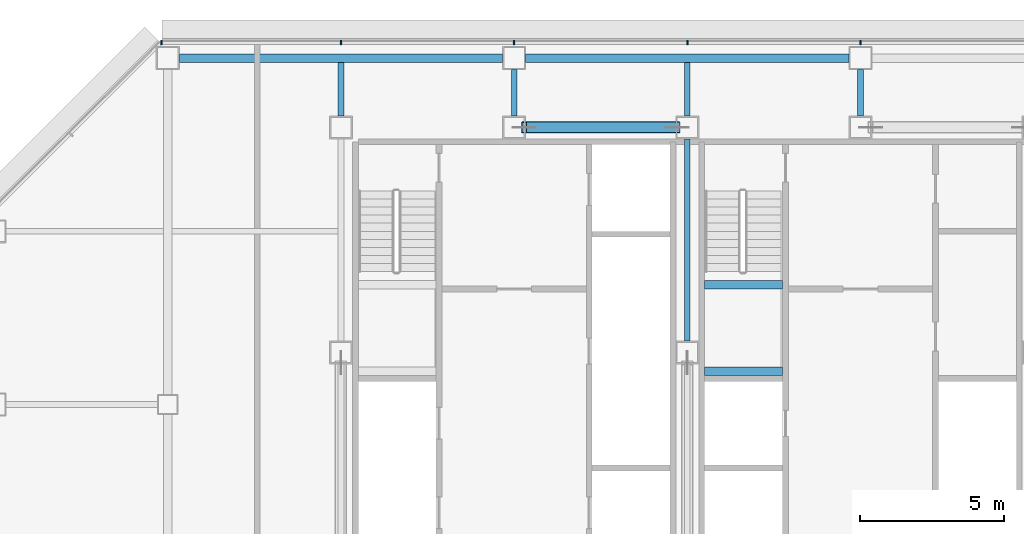
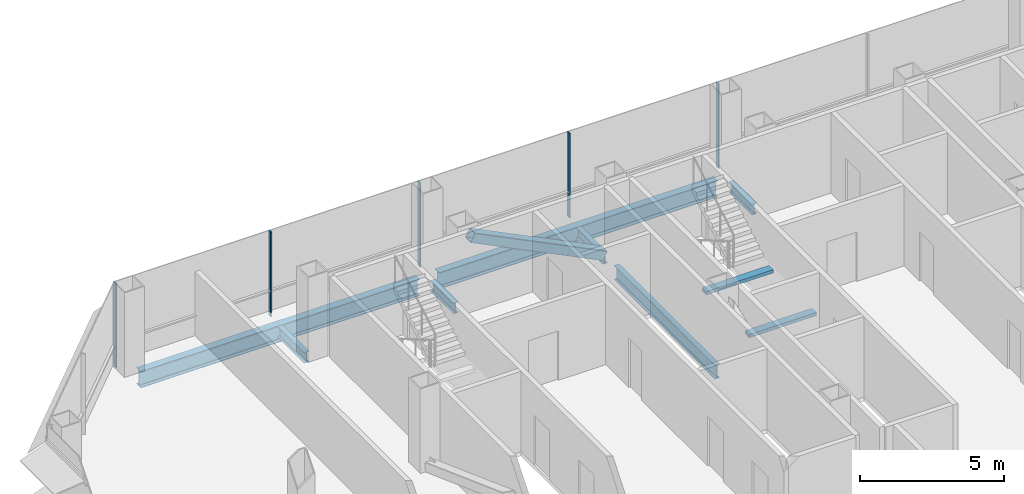
# One storey, part 12 of 25: 9 beams, 6 members, 1 element without a shape of its own.
"""IFC4 building model written with IfcOpenShell, lengths in metres."""

from ifc_helpers import new_model, si_unit, direction, frame, origin, origin_2d, place, context, subcontext, project, spatial, rectangle, hollow_rectangle, i_section, extrude, material, material_profile, profile_set, type_object, element, aggregate, save


model = new_model("IFC4")

# Units and contexts
model_context = context("Model", 3, precision=1e-05, world=origin(), true_north=direction((0.0, 1.0)))
body_context = subcontext(model_context, "Body", "Model", "MODEL_VIEW")
ifc_project = project(units=[si_unit("LENGTHUNIT", "METRE"), si_unit("AREAUNIT", "SQUARE_METRE"), si_unit("VOLUMEUNIT", "CUBIC_METRE"), si_unit("PLANEANGLEUNIT", "RADIAN"), si_unit("MASSUNIT", "GRAM", prefix="KILO")], contexts=[model_context])

# Site, building, storey
site_placement = place(None, origin())
site = spatial("IfcSite", under=ifc_project, at=site_placement, CompositionType="ELEMENT")
building_placement = place(site_placement, origin())
building = spatial("IfcBuilding", under=site, at=building_placement, Name="Sorahane Residences", CompositionType="ELEMENT")
storey_placement = place(building_placement, frame((0.0, 0.0, 130.39990234375)))
storey = spatial("IfcBuildingStorey", under=building, at=storey_placement, Name="L29", CompositionType="ELEMENT", Elevation=130.39990234375)

# Member
ifc_material_1 = material(Name="Steel Q355B", Category="steel")
ifc_material_profile_1 = material_profile(ifc_material_1, hollow_rectangle(XDim=0.39990234375, YDim=0.39990234375, WallThickness=0.02001953125, InnerFilletRadius=0.010009765625, OuterFilletRadius=0.030029296875, at=origin_2d()), Name="RHS 400x400x20")
ifc_profile_set_1 = profile_set([ifc_material_profile_1], Name="Steel Q355B")
member_type_1 = type_object("IfcMemberType", Name="Core brace RHS 400x400x20 Q355B", PredefinedType="BRACE", material=ifc_profile_set_1)
member_1_placement = place(storey_placement, frame((17.653076171875, 45.60009765625, 0.173828125), z_axis=(-0.896480070819, 0.0, 0.443084058192), x_axis=(0.0, -1.0, 0.0)))
element("IfcMember", 1, at=member_1_placement, inside=storey, type_object=member_type_1, Name="Core brace L29 y45.6-2", PredefinedType="BRACE", context=body_context, shape_type="SweptSolid", body=[
    extrude(hollow_rectangle(XDim=0.39990234375, YDim=0.39990234375, WallThickness=0.02001953125, InnerFilletRadius=0.010009765625, OuterFilletRadius=0.030029296875, at=origin_2d()), origin(), (0.0, 0.0, 1.0), 5.9189453125),
])

# Curtain wall, members
ifc_material_2 = material(Name="Dark low-e glass and black anodised aluminium", Category="aluminium")
curtain_wall_type = type_object("IfcCurtainWallType", Name="Curtain wall CW-1 Typical unitised wall", PredefinedType="NOTDEFINED", material=ifc_material_2)
curtain_wall_placement = place(storey_placement, origin())
curtain_wall = element("IfcCurtainWall", 2, at=curtain_wall_placement, inside=storey, type_object=curtain_wall_type, Name="CW-1 curtain wall L29 N1", PredefinedType="NOTDEFINED")
ifc_material_3 = material(Name="Black anodised aluminium", Category="aluminium")
ifc_material_profile_2 = material_profile(ifc_material_3, rectangle(XDim=0.159912109375, YDim=0.050048828125, at=origin_2d()), Name="Curtain wall mullion CW-1 black anodised aluminium 50x160")
ifc_profile_set_2 = profile_set([ifc_material_profile_2], Name="Black anodised aluminium")
member_type_2 = type_object("IfcMemberType", Name="Curtain wall mullion CW-1 black anodised aluminium 50x160", PredefinedType="MULLION", material=ifc_profile_set_2)
member_2_placement = place(storey_placement, frame((24.0, 48.5400390625, -0.179931640625), z_axis=(0.0, 0.0, 1.0), x_axis=(0.0, 1.0, 0.0)))
member_2 = element("IfcMember", 3, at=member_2_placement, type_object=member_type_2, Name="CW-1 mullion L29 N1.6", PredefinedType="MULLION", context=body_context, shape_type="SweptSolid", body=[
    extrude(rectangle(XDim=0.159912109375, YDim=0.050048828125, at=origin_2d()), origin(), (0.0, 0.0, 1.0), 3.60009765625),
])
member_3_placement = place(storey_placement, frame((18.0, 48.5400390625, -0.179931640625), z_axis=(0.0, 0.0, 1.0), x_axis=(0.0, 1.0, 0.0)))
member_3 = element("IfcMember", 4, at=member_3_placement, type_object=member_type_2, Name="CW-1 mullion L29 N1.7", PredefinedType="MULLION", context=body_context, shape_type="SweptSolid", body=[
    extrude(rectangle(XDim=0.159912109375, YDim=0.050048828125, at=origin_2d()), origin(), (0.0, 0.0, 1.0), 3.60009765625),
])
member_4_placement = place(storey_placement, frame((12.0, 48.5400390625, -0.179931640625), z_axis=(0.0, 0.0, 1.0), x_axis=(0.0, 1.0, 0.0)))
member_4 = element("IfcMember", 5, at=member_4_placement, type_object=member_type_2, Name="CW-1 mullion L29 N1.8", PredefinedType="MULLION", context=body_context, shape_type="SweptSolid", body=[
    extrude(rectangle(XDim=0.159912109375, YDim=0.050048828125, at=origin_2d()), origin(), (0.0, 0.0, 1.0), 3.60009765625),
])
member_5_placement = place(storey_placement, frame((6.0, 48.5400390625, -0.179931640625), z_axis=(0.0, 0.0, 1.0), x_axis=(0.0, 1.0, 0.0)))
member_5 = element("IfcMember", 6, at=member_5_placement, type_object=member_type_2, Name="CW-1 mullion L29 N1.9", PredefinedType="MULLION", context=body_context, shape_type="SweptSolid", body=[
    extrude(rectangle(XDim=0.159912109375, YDim=0.050048828125, at=origin_2d()), origin(), (0.0, 0.0, 1.0), 3.60009765625),
])
member_6_placement = place(storey_placement, frame((-0.2236328125, 48.5400390625, -0.179931640625), z_axis=(0.0, 0.0, 1.0), x_axis=(0.0, 1.0, 0.0)))
member_6 = element("IfcMember", 7, at=member_6_placement, type_object=member_type_2, Name="CW-1 mullion L29 N1.10", PredefinedType="MULLION", context=body_context, shape_type="SweptSolid", body=[
    extrude(rectangle(XDim=0.159912109375, YDim=0.050048828125, at=origin_2d()), origin(), (0.0, 0.0, 1.0), 3.60009765625),
])
aggregate(curtain_wall, [member_2, member_3, member_4, member_5, member_6])

# Beams
ifc_material_4 = material(Name="Concrete C40", Category="concrete")
ifc_material_profile_3 = material_profile(ifc_material_4, rectangle(XDim=0.300048828125, YDim=0.139892578125, at=origin_2d()), Name="300x140")
ifc_profile_set_3 = profile_set([ifc_material_profile_3], Name="Concrete C40")
beam_type_1 = type_object("IfcBeamType", Name="RC landing beam 300 x 140 Concrete C40", PredefinedType="BEAM", material=ifc_profile_set_3)
for number, where, z_axis, x_axis, name in (
    (8, (18.60009765625, 37.14990234375, 1.530029296875), (1.0, 0.0, 0.0), (0.0, 1.0, 0.0), "Landing beam"),
    (9, (18.60009765625, 40.14990234375, 1.530029296875), (1.0, 0.0, 0.0), (0.0, 1.0, 0.0), "Landing beam"),
):
    element("IfcBeam", number, at=place(storey_placement, frame(where, z_axis=z_axis, x_axis=x_axis)), inside=storey, type_object=beam_type_1, Name=name, PredefinedType="BEAM", context=body_context, shape_type="SweptSolid", body=[
        extrude(rectangle(XDim=0.300048828125, YDim=0.139892578125, at=origin_2d()), origin(), (0.0, 0.0, 1.0), 2.699951171875),
    ])
ifc_material_5 = material(Name="Steel Q355B", Category="steel")
ifc_material_profile_4 = material_profile(ifc_material_5, i_section(OverallWidth=0.199951171875, OverallDepth=0.449951171875, WebThickness=0.009033203125, FlangeThickness=0.013916015625, FilletRadius=0.02001953125, at=origin_2d()), Name="HN 450x200x9x14")
ifc_profile_set_4 = profile_set([ifc_material_profile_4], Name="Steel Q355B")
beam_type_2 = type_object("IfcBeamType", Name="Steel floor beam HN 450x200x9x14 Q355B", PredefinedType="BEAM", material=ifc_profile_set_4)
beam_1_placement = place(storey_placement, frame((6.0, 46.0, -0.40478515625), z_axis=(0.0, 1.0, 0.0), x_axis=(-1.0, 0.0, 0.0)))
element("IfcBeam", 10, at=beam_1_placement, inside=storey, type_object=beam_type_2, Name="Beam L29 033", PredefinedType="BEAM", context=body_context, shape_type="SweptSolid", body=[
    extrude(i_section(OverallWidth=0.199951171875, OverallDepth=0.449951171875, WebThickness=0.009033203125, FlangeThickness=0.013916015625, FilletRadius=0.02001953125, at=origin_2d()), origin(), (0.0, 0.0, 1.0), 1.85009765625),
])
beam_2_placement = place(storey_placement, frame((12.0, 46.0, -0.40478515625), z_axis=(0.0, 1.0, 0.0), x_axis=(-1.0, 0.0, 0.0)))
element("IfcBeam", 11, at=beam_2_placement, inside=storey, type_object=beam_type_2, Name="Beam L29 035", PredefinedType="BEAM", context=body_context, shape_type="SweptSolid", body=[
    extrude(i_section(OverallWidth=0.199951171875, OverallDepth=0.449951171875, WebThickness=0.009033203125, FlangeThickness=0.013916015625, FilletRadius=0.02001953125, at=origin_2d()), origin(), (0.0, 0.0, 1.0), 1.60009765625),
])
beam_3_placement = place(storey_placement, frame((18.0, 46.0, -0.40478515625), z_axis=(0.0, 1.0, 0.0), x_axis=(-1.0, 0.0, 0.0)))
element("IfcBeam", 12, at=beam_3_placement, inside=storey, type_object=beam_type_2, Name="Beam L29 041", PredefinedType="BEAM", context=body_context, shape_type="SweptSolid", body=[
    extrude(i_section(OverallWidth=0.199951171875, OverallDepth=0.449951171875, WebThickness=0.009033203125, FlangeThickness=0.013916015625, FilletRadius=0.02001953125, at=origin_2d()), origin(), (0.0, 0.0, 1.0), 1.85009765625),
])
beam_4_placement = place(storey_placement, frame((24.0, 46.0, -0.40478515625), z_axis=(0.0, 1.0, 0.0), x_axis=(-1.0, 0.0, 0.0)))
element("IfcBeam", 13, at=beam_4_placement, inside=storey, type_object=beam_type_2, Name="Beam L29 043", PredefinedType="BEAM", context=body_context, shape_type="SweptSolid", body=[
    extrude(i_section(OverallWidth=0.199951171875, OverallDepth=0.449951171875, WebThickness=0.009033203125, FlangeThickness=0.013916015625, FilletRadius=0.02001953125, at=origin_2d()), origin(), (0.0, 0.0, 1.0), 1.60009765625),
])
ifc_material_6 = material(Name="Steel Q355B", Category="steel")
ifc_material_profile_5 = material_profile(ifc_material_6, i_section(OverallWidth=0.199951171875, OverallDepth=0.60009765625, WebThickness=0.010986328125, FlangeThickness=0.01708984375, FilletRadius=0.02392578125, at=origin_2d()), Name="HN 600x200x11x17")
ifc_profile_set_5 = profile_set([ifc_material_profile_5], Name="Steel Q355B")
beam_type_3 = type_object("IfcBeamType", Name="Steel floor beam HN 600x200x11x17 Q355B", PredefinedType="BEAM", material=ifc_profile_set_5)
beam_5_placement = place(storey_placement, frame((18.0, 38.199951171875, -0.47998046875), z_axis=(0.0, 1.0, 0.0), x_axis=(-1.0, 0.0, 0.0)))
element("IfcBeam", 14, at=beam_5_placement, inside=storey, type_object=beam_type_3, Name="Beam L29 040", PredefinedType="BEAM", context=body_context, shape_type="SweptSolid", body=[
    extrude(i_section(OverallWidth=0.199951171875, OverallDepth=0.60009765625, WebThickness=0.010986328125, FlangeThickness=0.01708984375, FilletRadius=0.02392578125, at=origin_2d()), origin(), (0.0, 0.0, 1.0), 7.0),
])
ifc_material_7 = material(Name="Steel Q355B", Category="steel")
ifc_material_profile_6 = material_profile(ifc_material_7, i_section(OverallWidth=0.300048828125, OverallDepth=0.699951171875, WebThickness=0.012939453125, FlangeThickness=0.02392578125, FilletRadius=0.028076171875, at=origin_2d()), Name="HN 700x300x13x24")
ifc_profile_set_6 = profile_set([ifc_material_profile_6], Name="Steel Q355B")
beam_type_4 = type_object("IfcBeamType", Name="Steel floor beam HN 700x300x13x24 Q355B", PredefinedType="BEAM", material=ifc_profile_set_6)
for number, where, z_axis, x_axis, name in (
    (15, (0.39990234375, 48.0, -0.52978515625), (1.0, 0.0, 0.0), (0.0, 1.0, 0.0), "Beam L29 015"),
    (16, (12.39990234375, 48.0, -0.52978515625), (1.0, 0.0, 0.0), (0.0, 1.0, 0.0), "Beam L29 016"),
):
    element("IfcBeam", number, at=place(storey_placement, frame(where, z_axis=z_axis, x_axis=x_axis)), inside=storey, type_object=beam_type_4, Name=name, PredefinedType="BEAM", context=body_context, shape_type="SweptSolid", body=[
        extrude(i_section(OverallWidth=0.300048828125, OverallDepth=0.699951171875, WebThickness=0.012939453125, FlangeThickness=0.02392578125, FilletRadius=0.028076171875, at=origin_2d()), origin(), (0.0, 0.0, 1.0), 11.2001953125),
    ])

save(model, "model.ifc")
